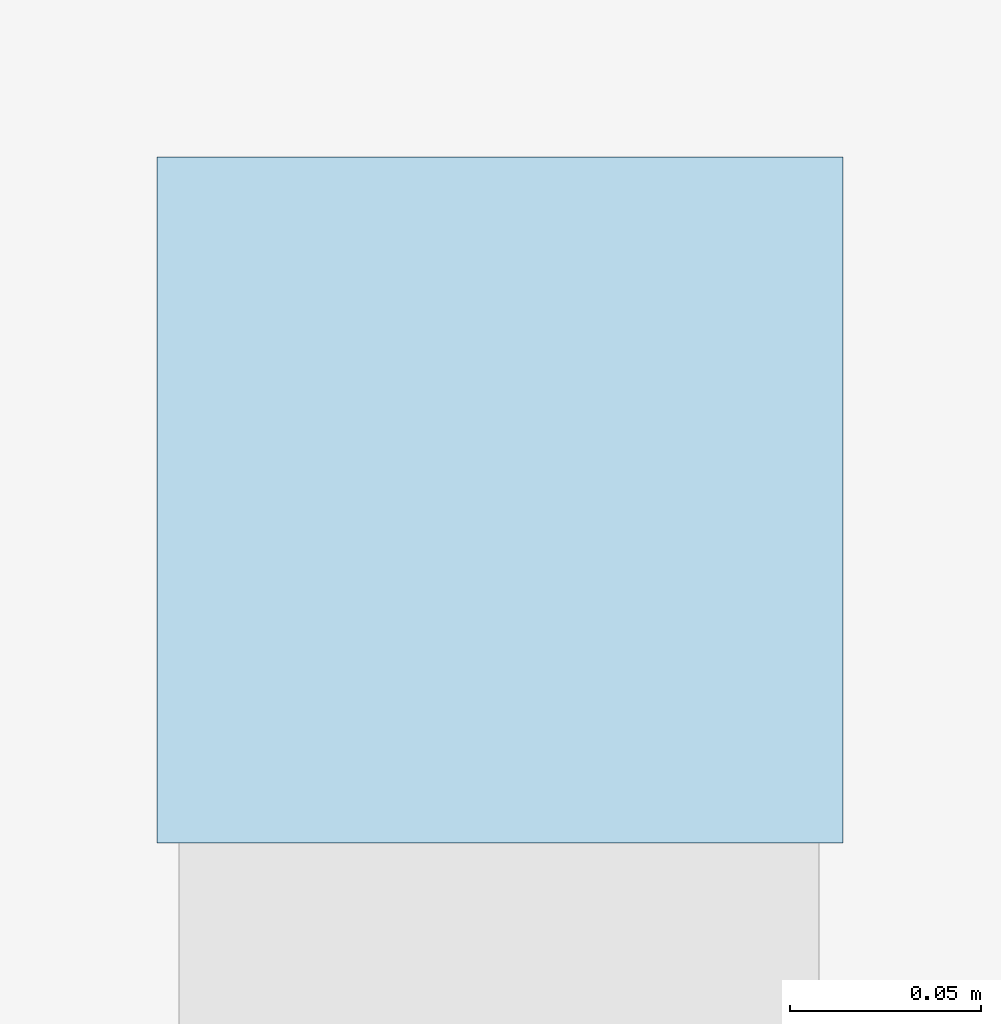
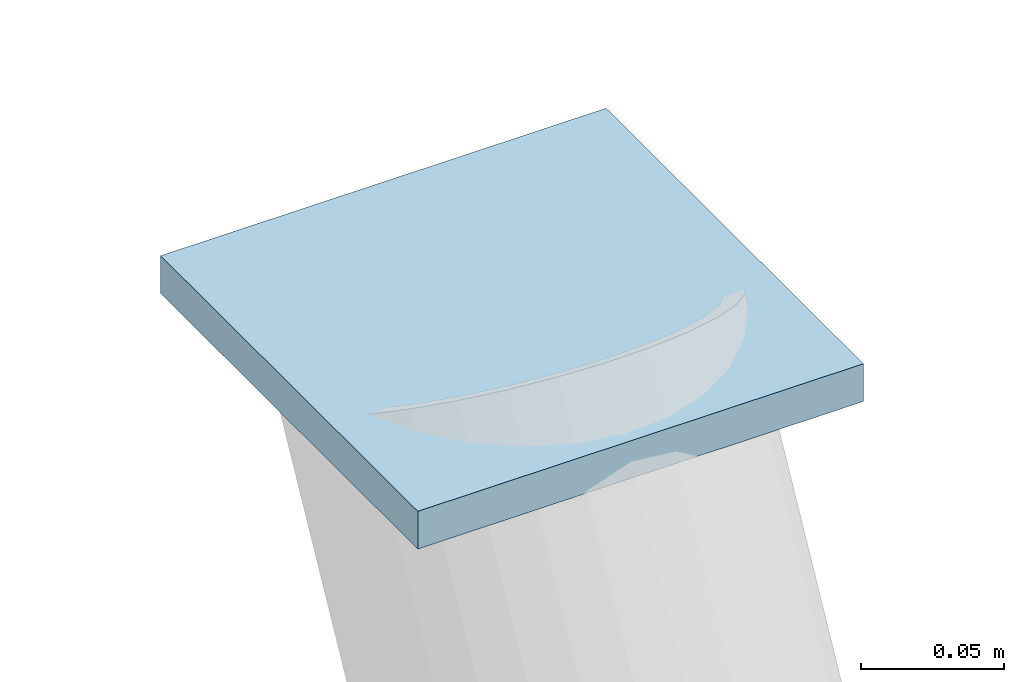
# One storey, part 96 of 123: 1 plate.
"""IFC4 building model written with IfcOpenShell, lengths in metres."""

from ifc_helpers import new_model, si_unit, direction, frame, origin, origin_2d, place, context, subcontext, project, spatial, rectangle, extrude, material, layer, layer_set, type_object, element, save


model = new_model("IFC4")

# Units and contexts
model_context = context("Model", 3, precision=1e-05, world=origin(), true_north=direction((0.0, 1.0)))
body_context = subcontext(model_context, "Body", "Model", "MODEL_VIEW")
ifc_project = project(units=[si_unit("LENGTHUNIT", "METRE"), si_unit("AREAUNIT", "SQUARE_METRE"), si_unit("VOLUMEUNIT", "CUBIC_METRE"), si_unit("PLANEANGLEUNIT", "RADIAN"), si_unit("MASSUNIT", "GRAM", prefix="KILO")], contexts=[model_context])

# Site, building, storey
site_placement = place(None, origin())
site = spatial("IfcSite", under=ifc_project, at=site_placement, CompositionType="ELEMENT")
building_placement = place(site_placement, origin())
building = spatial("IfcBuilding", under=site, at=building_placement, Name="Tenunan Teduh Sports Hall", CompositionType="ELEMENT")
storey_placement = place(building_placement, origin())
storey = spatial("IfcBuildingStorey", under=building, at=storey_placement, Name="L00", CompositionType="ELEMENT", Elevation=0.0)

# Plate
ifc_material = material(Name="Steel S355", Category="steel")
ifc_layer = layer(ifc_material, 0.01611328125)
ifc_layer_set = layer_set([ifc_layer], Name="Steel S355")
plate_type = type_object("IfcPlateType", Name="PLT-CAP-180", PredefinedType="SHEET", material=ifc_layer_set)
plate_placement = place(storey_placement, frame((154.0, 119.300048828125, 4.619873046875), z_axis=(0.0, 0.0, 1.0), x_axis=(1.0, 0.0, 0.0)))
element("IfcPlate", 1, at=plate_placement, inside=storey, type_object=plate_type, Name="PLT-CAP-L00-006", PredefinedType="SHEET", context=body_context, shape_type="SweptSolid", body=[
    extrude(rectangle(XDim=0.179931640625, YDim=0.179931640625, at=origin_2d()), origin(), (0.0, 0.0, 1.0), 0.01611328125),
])

save(model, "model.ifc")
